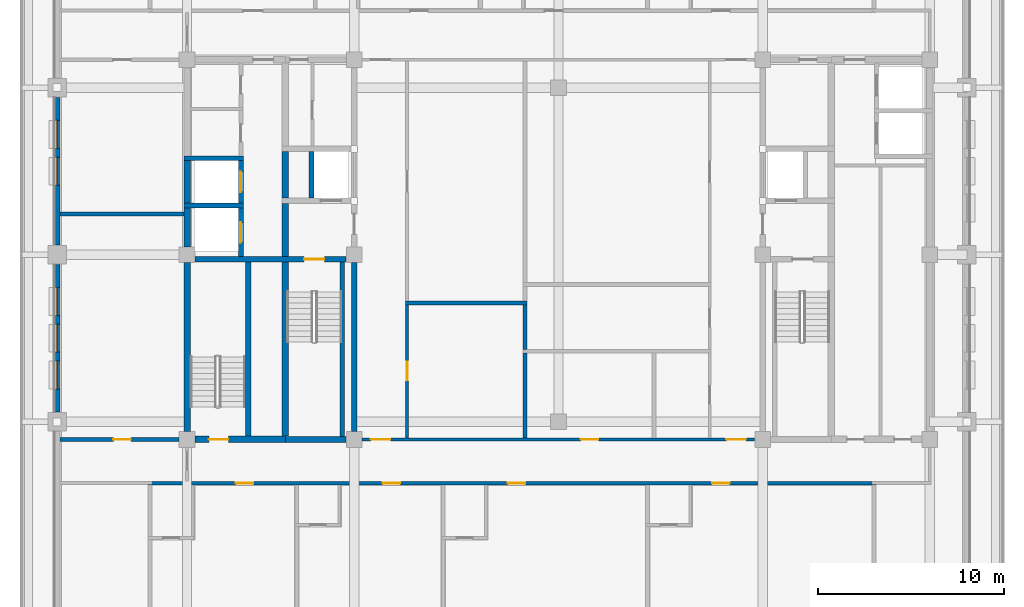
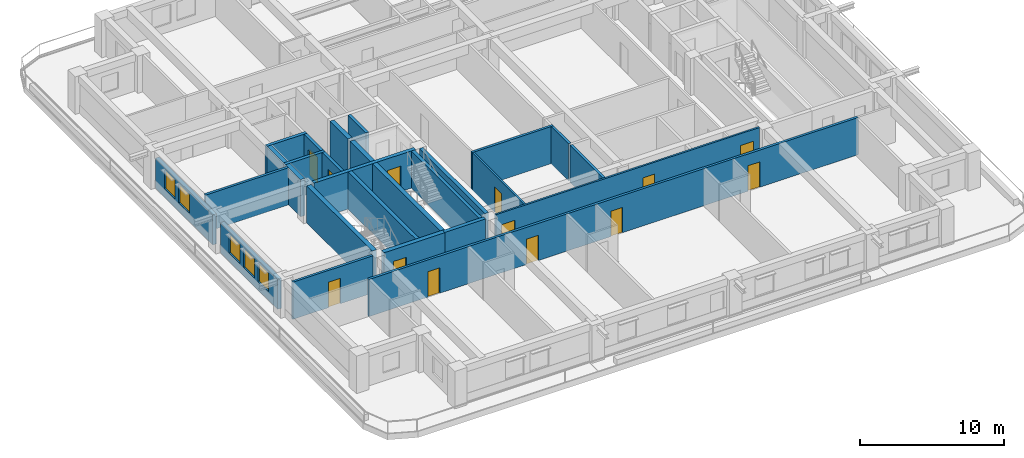
# One storey, part 3 of 14: 27 walls, 13 doors, 5 windows, 18 openings.
"""IFC4 building model written with IfcOpenShell, lengths in metres."""

from ifc_helpers import new_model, si_unit, direction, frame, frame_2d, origin, place, context, subcontext, project, spatial, rectangle, extrude, material, layer, layer_set, type_object, element, fill, save


model = new_model("IFC4")

# Units and contexts
model_context = context("Model", 3, precision=1e-05, world=origin(), true_north=direction((0.0, 1.0)))
body_context = subcontext(model_context, "Body", "Model", "MODEL_VIEW")
ifc_project = project(units=[si_unit("LENGTHUNIT", "METRE"), si_unit("AREAUNIT", "SQUARE_METRE"), si_unit("VOLUMEUNIT", "CUBIC_METRE"), si_unit("PLANEANGLEUNIT", "RADIAN"), si_unit("MASSUNIT", "GRAM", prefix="KILO")], contexts=[model_context])

# Site, building, storey
site_placement = place(None, origin())
site = spatial("IfcSite", under=ifc_project, at=site_placement, CompositionType="ELEMENT")
building_placement = place(site_placement, origin())
building = spatial("IfcBuilding", under=site, at=building_placement, Name="Zulmaris Gate Convention Tower", CompositionType="ELEMENT")
storey_placement = place(building_placement, frame((0.0, 0.0, 211.85986328125)))
storey = spatial("IfcBuildingStorey", under=building, at=storey_placement, Name="L55", CompositionType="ELEMENT", Elevation=211.85986328125)

# Walls
ifc_material_1 = material(Name="Concrete C50/60", Category="concrete")
ifc_layer_1 = layer(ifc_material_1, 0.25, Name="Concrete C50/60")
ifc_layer_set_1 = layer_set([ifc_layer_1], Name="Concrete C50/60")
wall_type_1 = type_object("IfcWallType", Name="CORE-250", PredefinedType="SOLIDWALL", material=ifc_layer_set_1)
for number, where, z_axis, x_axis, name in (
    (1, (-20.175048828125, 2.64990234375, 0.0), (0.0, 0.0, 1.0), (1.0, 0.0, 0.0), "WL-L55-007"),
    (2, (-20.175048828125, 5.199951171875, 0.0), (0.0, 0.0, 1.0), (1.0, 0.0, 0.0), "WL-L55-010"),
):
    element("IfcWall", number, at=place(storey_placement, frame(where, z_axis=z_axis, x_axis=x_axis)), inside=storey, type_object=wall_type_1, Name=name, PredefinedType="SOLIDWALL", context=body_context, shape_type="SweptSolid", body=[
        extrude(rectangle(XDim=3.199951171875, YDim=0.25, at=frame_2d((1.60009765625, 0.0))), origin(), (0.0, 0.0, 1.0), 3.150146484375),
    ])

# Wall, opening, door
wall_1_placement = place(storey_placement, frame((-17.10009765625, -0.097900390625, 0.0), z_axis=(0.0, 0.0, 1.0), x_axis=(0.0, 1.0, 0.0)))
wall_1 = element("IfcWall", 3, at=wall_1_placement, inside=storey, type_object=wall_type_1, Name="WL-L55-046", PredefinedType="SOLIDWALL", context=body_context, shape_type="SweptSolid", body=[
    extrude(rectangle(XDim=2.620849609375, YDim=0.25, at=frame_2d((1.310546875, 0.0))), origin(), (0.0, 0.0, 1.0), 3.150146484375),
])
opening_1_placement = place(wall_1_placement, frame((0.748046875, 0.0, 0.0)))
opening_1 = element("IfcOpeningElement", 4, at=opening_1_placement, cuts=wall_1, Name="Opening D-06", PredefinedType="OPENING", context=body_context, shape_type="SweptSolid", body=[
    extrude(rectangle(XDim=1.10009765625, YDim=2.199951171875, at=frame_2d((0.550048828125, 1.10009765625))), frame((0.0, 0.135009765625, 0.0), z_axis=(0.0, -1.0, 0.0), x_axis=(1.0, 0.0, 0.0)), (0.0, 0.0, 1.0), 0.27001953125),
])
ifc_material_2 = material(Name="Brushed Stainless Steel", Category="steel")
door_type_1 = type_object("IfcDoorType", Name="LD-1100", OperationType="NOTDEFINED", PredefinedType="DOOR", material=ifc_material_2)
door_1_placement = place(opening_1_placement, origin())
door_1 = element("IfcDoor", 5, at=door_1_placement, inside=storey, type_object=door_type_1, Name="L55 Lift Landing Door HP-03 11", OperationType="SLIDING_TO_LEFT", OverallHeight=2.199951171875, OverallWidth=1.10009765625, PredefinedType="DOOR", context=body_context, shape_type="SweptSolid", body=[
    extrude(rectangle(XDim=1.10009765625, YDim=2.199951171875, at=frame_2d((0.550048828125, 1.10009765625))), frame((0.0, 0.02490234375, 0.0), z_axis=(0.0, -1.0, 0.0), x_axis=(1.0, 0.0, 0.0)), (0.0, 0.0, 1.0), 0.050048828125),
])
fill(opening_1, door_1)

wall_2_placement = place(storey_placement, frame((-17.10009765625, 2.777099609375, 0.0), z_axis=(0.0, 0.0, 1.0), x_axis=(0.0, 1.0, 0.0)))
wall_2 = element("IfcWall", 6, at=wall_2_placement, inside=storey, type_object=wall_type_1, Name="WL-L55-047", PredefinedType="SOLIDWALL", context=body_context, shape_type="SweptSolid", body=[
    extrude(rectangle(XDim=2.2958984375, YDim=0.25, at=frame_2d((1.14794921875, 0.0))), origin(), (0.0, 0.0, 1.0), 3.150146484375),
])
opening_2_placement = place(wall_2_placement, frame((0.597900390625, 0.0, 0.0)))
opening_2 = element("IfcOpeningElement", 7, at=opening_2_placement, cuts=wall_2, Name="Opening D-06", PredefinedType="OPENING", context=body_context, shape_type="SweptSolid", body=[
    extrude(rectangle(XDim=1.10009765625, YDim=2.199951171875, at=frame_2d((0.550048828125, 1.10009765625))), frame((0.0, 0.135009765625, 0.0), z_axis=(0.0, -1.0, 0.0), x_axis=(1.0, 0.0, 0.0)), (0.0, 0.0, 1.0), 0.27001953125),
])
door_2_placement = place(opening_2_placement, origin())
door_2 = element("IfcDoor", 8, at=door_2_placement, inside=storey, type_object=door_type_1, Name="L55 Lift Landing Door HP-04 12", OperationType="SLIDING_TO_LEFT", OverallHeight=2.199951171875, OverallWidth=1.10009765625, PredefinedType="DOOR", context=body_context, shape_type="SweptSolid", body=[
    extrude(rectangle(XDim=1.10009765625, YDim=2.199951171875, at=frame_2d((0.550048828125, 1.10009765625))), frame((0.0, 0.02490234375, 0.0), z_axis=(0.0, -1.0, 0.0), x_axis=(1.0, 0.0, 0.0)), (0.0, 0.0, 1.0), 0.050048828125),
])
fill(opening_2, door_2)

# Walls
wall_3_placement = place(storey_placement, frame((-13.300048828125, 3.052001953125, 0.0), z_axis=(0.0, 0.0, 1.0), x_axis=(0.0, 1.0, 0.0)))
element("IfcWall", 9, at=wall_3_placement, inside=storey, type_object=wall_type_1, Name="WL-L55-053", PredefinedType="SOLIDWALL", context=body_context, shape_type="SweptSolid", body=[
    extrude(rectangle(XDim=2.49609375, YDim=0.25, at=frame_2d((1.248046875, 0.0))), origin(), (0.0, 0.0, 1.0), 3.150146484375),
])
wall_4_placement = place(storey_placement, frame((-11.64990234375, -9.798095703125, 0.0), z_axis=(0.0, 0.0, 1.0), x_axis=(0.0, 1.0, 0.0)))
element("IfcWall", 10, at=wall_4_placement, inside=storey, type_object=wall_type_1, Name="WL-L55-054", PredefinedType="SOLIDWALL", context=body_context, shape_type="SweptSolid", body=[
    extrude(rectangle(XDim=9.39599609375, YDim=0.25, at=frame_2d((4.697998046875, 0.0))), origin(), (0.0, 0.0, 1.0), 3.150146484375),
])
ifc_layer_2 = layer(ifc_material_1, 0.300048828125, Name="Concrete C50/60")
ifc_layer_set_2 = layer_set([ifc_layer_2], Name="Concrete C50/60")
wall_type_2 = type_object("IfcWallType", Name="CORE-300", PredefinedType="SHEAR", material=ifc_layer_set_2)
wall_5_placement = place(storey_placement, frame((-14.699951171875, -9.949951171875, 0.0), z_axis=(0.0, 0.0, 1.0), x_axis=(1.0, 0.0, 0.0)))
element("IfcWall", 11, at=wall_5_placement, inside=storey, type_object=wall_type_2, Name="WL-L55-002", PredefinedType="SHEAR", context=body_context, shape_type="SweptSolid", body=[
    extrude(rectangle(XDim=3.27099609375, YDim=0.300048828125, at=frame_2d((1.635498046875, 0.0))), origin(), (0.0, 0.0, 1.0), 3.150146484375),
])

# Wall, opening, door
wall_6_placement = place(storey_placement, frame((-19.571044921875, -0.25, 0.0), z_axis=(0.0, 0.0, 1.0), x_axis=(1.0, 0.0, 0.0)))
wall_6 = element("IfcWall", 12, at=wall_6_placement, inside=storey, type_object=wall_type_2, Name="WL-L55-005", PredefinedType="SHEAR", context=body_context, shape_type="SweptSolid", body=[
    extrude(rectangle(XDim=8.14208984375, YDim=0.300048828125, at=frame_2d((4.071044921875, 0.0))), origin(), (0.0, 0.0, 1.0), 3.150146484375),
])
opening_3_placement = place(wall_6_placement, frame((5.87109375, 0.0, 0.0)))
opening_3 = element("IfcOpeningElement", 13, at=opening_3_placement, cuts=wall_6, Name="Opening D-08", PredefinedType="OPENING", context=body_context, shape_type="SweptSolid", body=[
    extrude(rectangle(XDim=1.10009765625, YDim=2.14990234375, at=frame_2d((0.550048828125, 1.074951171875))), frame((0.0, 0.16015625, 0.0), z_axis=(0.0, -1.0, 0.0), x_axis=(1.0, 0.0, 0.0)), (0.0, 0.0, 1.0), 0.320068359375),
])
ifc_material_3 = material(Name="Fire-Rated Steel", Category="steel")
door_type_2 = type_object("IfcDoorType", Name="DR-1100-FD", OperationType="NOTDEFINED", PredefinedType="DOOR", material=ifc_material_3)
door_3_placement = place(opening_3_placement, origin())
door_3 = element("IfcDoor", 14, at=door_3_placement, inside=storey, type_object=door_type_2, Name="L55 Exit Stair ST-1 Door 01", OperationType="SINGLE_SWING_LEFT", OverallHeight=2.14990234375, OverallWidth=1.10009765625, PredefinedType="DOOR", context=body_context, shape_type="SweptSolid", body=[
    extrude(rectangle(XDim=1.10009765625, YDim=2.14990234375, at=frame_2d((0.550048828125, 1.074951171875))), frame((0.0, 0.02490234375, 0.0), z_axis=(0.0, -1.0, 0.0), x_axis=(1.0, 0.0, 0.0)), (0.0, 0.0, 1.0), 0.050048828125),
])
fill(opening_3, door_3)

# Walls
wall_7_placement = place(storey_placement, frame((-16.699951171875, -9.77294921875, 0.0), z_axis=(0.0, 0.0, 1.0), x_axis=(0.0, 1.0, 0.0)))
element("IfcWall", 15, at=wall_7_placement, inside=storey, type_object=wall_type_2, Name="WL-L55-048", PredefinedType="SHEAR", context=body_context, shape_type="SweptSolid", body=[
    extrude(rectangle(XDim=9.370849609375, YDim=0.300048828125, at=frame_2d((4.685546875, 0.0))), origin(), (0.0, 0.0, 1.0), 3.150146484375),
])
wall_8_placement = place(storey_placement, frame((-11.0, -9.52099609375, 0.0), z_axis=(0.0, 0.0, 1.0), x_axis=(0.0, 1.0, 0.0)))
element("IfcWall", 16, at=wall_8_placement, inside=storey, type_object=wall_type_2, Name="WL-L55-055", PredefinedType="SHEAR", context=body_context, shape_type="SweptSolid", body=[
    extrude(rectangle(XDim=9.092041015625, YDim=0.300048828125, at=frame_2d((4.5458984375, 0.0))), origin(), (0.0, 0.0, 1.0), 3.150146484375),
])

# Wall, opening, door
ifc_material_4 = material(Name="Concrete C55/67", Category="concrete")
ifc_layer_3 = layer(ifc_material_4, 0.35009765625, Name="Concrete C55/67")
ifc_layer_set_3 = layer_set([ifc_layer_3], Name="Concrete C55/67")
wall_type_3 = type_object("IfcWallType", Name="CORE-350", PredefinedType="SHEAR", material=ifc_layer_set_3)
wall_9_placement = place(storey_placement, frame((-19.571044921875, -9.949951171875, 0.0), z_axis=(0.0, 0.0, 1.0), x_axis=(1.0, 0.0, 0.0)))
wall_9 = element("IfcWall", 17, at=wall_9_placement, inside=storey, type_object=wall_type_3, Name="WL-L55-001", PredefinedType="SHEAR", context=body_context, shape_type="SweptSolid", body=[
    extrude(rectangle(XDim=4.87109375, YDim=0.35009765625, at=frame_2d((2.435546875, 0.0))), origin(), (0.0, 0.0, 1.0), 3.150146484375),
])
opening_4_placement = place(wall_9_placement, frame((0.74609375, 0.0, 0.0)))
opening_4 = element("IfcOpeningElement", 18, at=opening_4_placement, cuts=wall_9, Name="Opening D-09", PredefinedType="OPENING", context=body_context, shape_type="SweptSolid", body=[
    extrude(rectangle(XDim=1.050048828125, YDim=2.14990234375, at=frame_2d((0.52490234375, 1.074951171875))), frame((0.0, 0.18505859375, 0.0), z_axis=(0.0, -1.0, 0.0), x_axis=(1.0, 0.0, 0.0)), (0.0, 0.0, 1.0), 0.3701171875),
])
door_type_3 = type_object("IfcDoorType", Name="DR-1050-FD", OperationType="NOTDEFINED", PredefinedType="DOOR", material=ifc_material_3)
door_4_placement = place(opening_4_placement, origin())
door_4 = element("IfcDoor", 19, at=door_4_placement, inside=storey, type_object=door_type_3, Name="L55 Exit Stair ST-3 Door 10", OperationType="SINGLE_SWING_RIGHT", OverallHeight=2.14990234375, OverallWidth=1.050048828125, PredefinedType="DOOR", context=body_context, shape_type="SweptSolid", body=[
    extrude(rectangle(XDim=1.050048828125, YDim=2.14990234375, at=frame_2d((0.52490234375, 1.074951171875))), frame((0.0, 0.02490234375, 0.0), z_axis=(0.0, -1.0, 0.0), x_axis=(1.0, 0.0, 0.0)), (0.0, 0.0, 1.0), 0.050048828125),
])
fill(opening_4, door_4)

# Walls
wall_10_placement = place(storey_placement, frame((-20.0, -9.52099609375, 0.0), z_axis=(0.0, 0.0, 1.0), x_axis=(0.0, 1.0, 0.0)))
element("IfcWall", 20, at=wall_10_placement, inside=storey, type_object=wall_type_3, Name="WL-L55-042", PredefinedType="SHEAR", context=body_context, shape_type="SweptSolid", body=[
    extrude(rectangle(XDim=9.092041015625, YDim=0.35009765625, at=frame_2d((4.5458984375, 0.0))), origin(), (0.0, 0.0, 1.0), 3.150146484375),
])
wall_11_placement = place(storey_placement, frame((-20.0, 0.428955078125, 0.0), z_axis=(0.0, 0.0, 1.0), x_axis=(0.0, 1.0, 0.0)))
element("IfcWall", 21, at=wall_11_placement, inside=storey, type_object=wall_type_3, Name="WL-L55-043", PredefinedType="SHEAR", context=body_context, shape_type="SweptSolid", body=[
    extrude(rectangle(XDim=2.093994140625, YDim=0.35009765625, at=frame_2d((1.046875, 0.0))), origin(), (0.0, 0.0, 1.0), 3.150146484375),
])
wall_12_placement = place(storey_placement, frame((-20.0, 2.777099609375, 0.0), z_axis=(0.0, 0.0, 1.0), x_axis=(0.0, 1.0, 0.0)))
element("IfcWall", 22, at=wall_12_placement, inside=storey, type_object=wall_type_3, Name="WL-L55-044", PredefinedType="SHEAR", context=body_context, shape_type="SweptSolid", body=[
    extrude(rectangle(XDim=2.2958984375, YDim=0.35009765625, at=frame_2d((1.14794921875, 0.0))), origin(), (0.0, 0.0, 1.0), 3.150146484375),
])
wall_13_placement = place(storey_placement, frame((-14.699951171875, -9.77294921875, 0.0), z_axis=(0.0, 0.0, 1.0), x_axis=(0.0, 1.0, 0.0)))
element("IfcWall", 23, at=wall_13_placement, inside=storey, type_object=wall_type_3, Name="WL-L55-049", PredefinedType="SHEAR", context=body_context, shape_type="SweptSolid", body=[
    extrude(rectangle(XDim=9.370849609375, YDim=0.35009765625, at=frame_2d((4.685546875, 0.0))), origin(), (0.0, 0.0, 1.0), 3.150146484375),
])
wall_14_placement = place(storey_placement, frame((-14.699951171875, -0.097900390625, 0.0), z_axis=(0.0, 0.0, 1.0), x_axis=(0.0, 1.0, 0.0)))
element("IfcWall", 24, at=wall_14_placement, inside=storey, type_object=wall_type_3, Name="WL-L55-050", PredefinedType="SHEAR", context=body_context, shape_type="SweptSolid", body=[
    extrude(rectangle(XDim=2.845947265625, YDim=0.35009765625, at=frame_2d((1.4228515625, 0.0))), origin(), (0.0, 0.0, 1.0), 3.150146484375),
])
wall_15_placement = place(storey_placement, frame((-14.699951171875, 3.052001953125, 0.0), z_axis=(0.0, 0.0, 1.0), x_axis=(0.0, 1.0, 0.0)))
element("IfcWall", 25, at=wall_15_placement, inside=storey, type_object=wall_type_3, Name="WL-L55-051", PredefinedType="SHEAR", context=body_context, shape_type="SweptSolid", body=[
    extrude(rectangle(XDim=2.49609375, YDim=0.35009765625, at=frame_2d((1.248046875, 0.0))), origin(), (0.0, 0.0, 1.0), 3.150146484375),
])

# Wall, openings, doors
ifc_material_5 = material(Name="Gypsum Metal Stud Partition")
ifc_layer_4 = layer(ifc_material_5, 0.14990234375, Name="Gypsum Metal Stud Partition")
ifc_layer_set_4 = layer_set([ifc_layer_4], Name="Gypsum Metal Stud Partition")
wall_type_4 = type_object("IfcWallType", Name="PART-150", PredefinedType="PARTITIONING", material=ifc_layer_set_4)
wall_16_placement = place(storey_placement, frame((-10.569091796875, -9.949951171875, 0.0), z_axis=(0.0, 0.0, 1.0), x_axis=(1.0, 0.0, 0.0)))
wall_16 = element("IfcWall", 26, at=wall_16_placement, inside=storey, type_object=wall_type_4, Name="WL-L55-027", PredefinedType="PARTITIONING", context=body_context, shape_type="SweptSolid", body=[
    extrude(rectangle(XDim=21.13818359375, YDim=0.14990234375, at=frame_2d((10.569091796875, 0.0))), origin(), (0.0, 0.0, 1.0), 3.150146484375),
])
opening_5_placement = place(wall_16_placement, frame((0.47412109375, 0.0, 0.0)))
opening_5 = element("IfcOpeningElement", 27, at=opening_5_placement, cuts=wall_16, Name="Opening D-09", PredefinedType="OPENING", context=body_context, shape_type="SweptSolid", body=[
    extrude(rectangle(XDim=1.050048828125, YDim=2.14990234375, at=frame_2d((0.52490234375, 1.074951171875))), frame((0.0, 0.0849609375, 0.0), z_axis=(0.0, -1.0, 0.0), x_axis=(1.0, 0.0, 0.0)), (0.0, 0.0, 1.0), 0.169921875),
])
opening_6_placement = place(wall_16_placement, frame((19.614013671875, 0.0, 0.0)))
opening_6 = element("IfcOpeningElement", 28, at=opening_6_placement, cuts=wall_16, Name="Opening D-09", PredefinedType="OPENING", context=body_context, shape_type="SweptSolid", body=[
    extrude(rectangle(XDim=1.050048828125, YDim=2.14990234375, at=frame_2d((0.52490234375, 1.074951171875))), frame((0.0, 0.0849609375, 0.0), z_axis=(0.0, -1.0, 0.0), x_axis=(1.0, 0.0, 0.0)), (0.0, 0.0, 1.0), 0.169921875),
])
opening_7_placement = place(wall_16_placement, frame((11.77392578125, 0.0, 0.0)))
opening_7 = element("IfcOpeningElement", 29, at=opening_7_placement, cuts=wall_16, Name="Opening D-11", PredefinedType="OPENING", context=body_context, shape_type="SweptSolid", body=[
    extrude(rectangle(XDim=0.949951171875, YDim=2.14990234375, at=frame_2d((0.47509765625, 1.074951171875))), frame((0.0, 0.0849609375, 0.0), z_axis=(0.0, -1.0, 0.0), x_axis=(1.0, 0.0, 0.0)), (0.0, 0.0, 1.0), 0.169921875),
])
door_5_placement = place(opening_5_placement, origin())
door_5 = element("IfcDoor", 30, at=door_5_placement, inside=storey, type_object=door_type_3, Name="L55 SW Hotel Loop Door 22", OperationType="SINGLE_SWING_RIGHT", OverallHeight=2.14990234375, OverallWidth=1.050048828125, PredefinedType="DOOR", context=body_context, shape_type="SweptSolid", body=[
    extrude(rectangle(XDim=1.050048828125, YDim=2.14990234375, at=frame_2d((0.52490234375, 1.074951171875))), frame((0.0, 0.02490234375, 0.0), z_axis=(0.0, -1.0, 0.0), x_axis=(1.0, 0.0, 0.0)), (0.0, 0.0, 1.0), 0.050048828125),
])
fill(opening_5, door_5)
door_6_placement = place(opening_6_placement, origin())
door_6 = element("IfcDoor", 31, at=door_6_placement, inside=storey, type_object=door_type_3, Name="L55 SE Hotel Loop Door 24", OperationType="SINGLE_SWING_RIGHT", OverallHeight=2.14990234375, OverallWidth=1.050048828125, PredefinedType="DOOR", context=body_context, shape_type="SweptSolid", body=[
    extrude(rectangle(XDim=1.050048828125, YDim=2.14990234375, at=frame_2d((0.52490234375, 1.074951171875))), frame((0.0, 0.02490234375, 0.0), z_axis=(0.0, -1.0, 0.0), x_axis=(1.0, 0.0, 0.0)), (0.0, 0.0, 1.0), 0.050048828125),
])
fill(opening_6, door_6)
ifc_material_6 = material(Name="Fire-Rated Timber", Category="wood")
door_type_4 = type_object("IfcDoorType", Name="DR-950-FD", OperationType="NOTDEFINED", PredefinedType="DOOR", material=ifc_material_6)
door_7_placement = place(opening_7_placement, origin())
door_7 = element("IfcDoor", 32, at=door_7_placement, inside=storey, type_object=door_type_4, Name="L55 Staging Store Door 45", OperationType="SINGLE_SWING_LEFT", OverallHeight=2.14990234375, OverallWidth=0.949951171875, PredefinedType="DOOR", context=body_context, shape_type="SweptSolid", body=[
    extrude(rectangle(XDim=0.949951171875, YDim=2.14990234375, at=frame_2d((0.47509765625, 1.074951171875))), frame((0.0, 0.02490234375, 0.0), z_axis=(0.0, -1.0, 0.0), x_axis=(1.0, 0.0, 0.0)), (0.0, 0.0, 1.0), 0.050048828125),
])
fill(opening_7, door_7)

# Wall, opening, door
wall_17_placement = place(storey_placement, frame((-8.14990234375, -9.8720703125, 0.0), z_axis=(0.0, 0.0, 1.0), x_axis=(0.0, 1.0, 0.0)))
wall_17 = element("IfcWall", 33, at=wall_17_placement, inside=storey, type_object=wall_type_4, Name="WL-L55-089", PredefinedType="PARTITIONING", context=body_context, shape_type="SweptSolid", body=[
    extrude(rectangle(XDim=7.169189453125, YDim=0.14990234375, at=frame_2d((3.58447265625, 0.0))), origin(), (0.0, 0.0, 1.0), 3.150146484375),
])
opening_8_placement = place(wall_17_placement, frame((3.10205078125, 0.0, 0.0)))
opening_8 = element("IfcOpeningElement", 34, at=opening_8_placement, cuts=wall_17, Name="Opening D-10", PredefinedType="OPENING", context=body_context, shape_type="SweptSolid", body=[
    extrude(rectangle(XDim=1.0, YDim=2.14990234375, at=frame_2d((0.5, 1.074951171875))), frame((0.0, 0.0849609375, 0.0), z_axis=(0.0, -1.0, 0.0), x_axis=(1.0, 0.0, 0.0)), (0.0, 0.0, 1.0), 0.169921875),
])
door_type_5 = type_object("IfcDoorType", Name="DR-1000-FD", OperationType="NOTDEFINED", PredefinedType="DOOR", material=ifc_material_6)
door_8_placement = place(opening_8_placement, origin())
door_8 = element("IfcDoor", 35, at=door_8_placement, inside=storey, type_object=door_type_5, Name="L55 Guest Study Door 41", OperationType="SINGLE_SWING_LEFT", OverallHeight=2.14990234375, OverallWidth=1.0, PredefinedType="DOOR", context=body_context, shape_type="SweptSolid", body=[
    extrude(rectangle(XDim=1.0, YDim=2.14990234375, at=frame_2d((0.5, 1.074951171875))), frame((0.0, 0.02490234375, 0.0), z_axis=(0.0, -1.0, 0.0), x_axis=(1.0, 0.0, 0.0)), (0.0, 0.0, 1.0), 0.050048828125),
])
fill(opening_8, door_8)

# Wall, openings, doors
ifc_material_7 = material(Name="Autoclaved Aerated Concrete Block and Plasterboard", Category="concrete")
ifc_layer_5 = layer(ifc_material_7, 0.199951171875, Name="Autoclaved Aerated Concrete Block and Plasterboard")
ifc_layer_set_5 = layer_set([ifc_layer_5], Name="Autoclaved Aerated Concrete Block and Plasterboard")
wall_type_5 = type_object("IfcWallType", Name="PART-200", PredefinedType="PARTITIONING", material=ifc_layer_set_5)
wall_18_placement = place(storey_placement, frame((-22.10009765625, -12.300048828125, 0.0), z_axis=(0.0, 0.0, 1.0), x_axis=(1.0, 0.0, 0.0)))
wall_18 = element("IfcWall", 36, at=wall_18_placement, inside=storey, type_object=wall_type_5, Name="WL-L55-024", PredefinedType="PARTITIONING", context=body_context, shape_type="SweptSolid", body=[
    extrude(rectangle(XDim=39.2001953125, YDim=0.199951171875, at=frame_2d((19.60009765625, 0.0))), origin(), (0.0, 0.0, 1.0), 3.150146484375),
])
opening_9_placement = place(wall_18_placement, frame((4.72509765625, 0.0, 0.0)))
opening_9 = element("IfcOpeningElement", 37, at=opening_9_placement, cuts=wall_18, Name="Opening D-11", PredefinedType="OPENING", context=body_context, shape_type="SweptSolid", body=[
    extrude(rectangle(XDim=0.949951171875, YDim=2.14990234375, at=frame_2d((0.47509765625, 1.074951171875))), frame((0.0, 0.10986328125, 0.0), z_axis=(0.0, -1.0, 0.0), x_axis=(1.0, 0.0, 0.0)), (0.0, 0.0, 1.0), 0.219970703125),
])
opening_10_placement = place(wall_18_placement, frame((12.625, 0.0, 0.0)))
opening_10 = element("IfcOpeningElement", 38, at=opening_10_placement, cuts=wall_18, Name="Opening D-11", PredefinedType="OPENING", context=body_context, shape_type="SweptSolid", body=[
    extrude(rectangle(XDim=0.949951171875, YDim=2.14990234375, at=frame_2d((0.47509765625, 1.074951171875))), frame((0.0, 0.10986328125, 0.0), z_axis=(0.0, -1.0, 0.0), x_axis=(1.0, 0.0, 0.0)), (0.0, 0.0, 1.0), 0.219970703125),
])
opening_11_placement = place(wall_18_placement, frame((19.375, 0.0, 0.0)))
opening_11 = element("IfcOpeningElement", 39, at=opening_11_placement, cuts=wall_18, Name="Opening D-11", PredefinedType="OPENING", context=body_context, shape_type="SweptSolid", body=[
    extrude(rectangle(XDim=0.949951171875, YDim=2.14990234375, at=frame_2d((0.47509765625, 1.074951171875))), frame((0.0, 0.10986328125, 0.0), z_axis=(0.0, -1.0, 0.0), x_axis=(1.0, 0.0, 0.0)), (0.0, 0.0, 1.0), 0.219970703125),
])
opening_12_placement = place(wall_18_placement, frame((30.375, 0.0, 0.0)))
opening_12 = element("IfcOpeningElement", 40, at=opening_12_placement, cuts=wall_18, Name="Opening D-11", PredefinedType="OPENING", context=body_context, shape_type="SweptSolid", body=[
    extrude(rectangle(XDim=0.949951171875, YDim=2.14990234375, at=frame_2d((0.47509765625, 1.074951171875))), frame((0.0, 0.10986328125, 0.0), z_axis=(0.0, -1.0, 0.0), x_axis=(1.0, 0.0, 0.0)), (0.0, 0.0, 1.0), 0.219970703125),
])
door_9_placement = place(opening_9_placement, origin())
door_9 = element("IfcDoor", 41, at=door_9_placement, inside=storey, type_object=door_type_4, Name="L55 Hotel Ambassador Suite Door 32", OperationType="SINGLE_SWING_RIGHT", OverallHeight=2.14990234375, OverallWidth=0.949951171875, PredefinedType="DOOR", context=body_context, shape_type="SweptSolid", body=[
    extrude(rectangle(XDim=0.949951171875, YDim=2.14990234375, at=frame_2d((0.47509765625, 1.074951171875))), frame((0.0, 0.02490234375, 0.0), z_axis=(0.0, -1.0, 0.0), x_axis=(1.0, 0.0, 0.0)), (0.0, 0.0, 1.0), 0.050048828125),
])
fill(opening_9, door_9)
door_10_placement = place(opening_10_placement, origin())
door_10 = element("IfcDoor", 42, at=door_10_placement, inside=storey, type_object=door_type_4, Name="L55 Hotel Ambassador Suite Door 34", OperationType="SINGLE_SWING_RIGHT", OverallHeight=2.14990234375, OverallWidth=0.949951171875, PredefinedType="DOOR", context=body_context, shape_type="SweptSolid", body=[
    extrude(rectangle(XDim=0.949951171875, YDim=2.14990234375, at=frame_2d((0.47509765625, 1.074951171875))), frame((0.0, 0.02490234375, 0.0), z_axis=(0.0, -1.0, 0.0), x_axis=(1.0, 0.0, 0.0)), (0.0, 0.0, 1.0), 0.050048828125),
])
fill(opening_10, door_10)
door_11_placement = place(opening_11_placement, origin())
door_11 = element("IfcDoor", 43, at=door_11_placement, inside=storey, type_object=door_type_4, Name="L55 Hotel Ambassador Suite Door 36", OperationType="SINGLE_SWING_RIGHT", OverallHeight=2.14990234375, OverallWidth=0.949951171875, PredefinedType="DOOR", context=body_context, shape_type="SweptSolid", body=[
    extrude(rectangle(XDim=0.949951171875, YDim=2.14990234375, at=frame_2d((0.47509765625, 1.074951171875))), frame((0.0, 0.02490234375, 0.0), z_axis=(0.0, -1.0, 0.0), x_axis=(1.0, 0.0, 0.0)), (0.0, 0.0, 1.0), 0.050048828125),
])
fill(opening_11, door_11)
door_12_placement = place(opening_12_placement, origin())
door_12 = element("IfcDoor", 44, at=door_12_placement, inside=storey, type_object=door_type_4, Name="L55 Hotel Ambassador Suite Door 38", OperationType="SINGLE_SWING_RIGHT", OverallHeight=2.14990234375, OverallWidth=0.949951171875, PredefinedType="DOOR", context=body_context, shape_type="SweptSolid", body=[
    extrude(rectangle(XDim=0.949951171875, YDim=2.14990234375, at=frame_2d((0.47509765625, 1.074951171875))), frame((0.0, 0.02490234375, 0.0), z_axis=(0.0, -1.0, 0.0), x_axis=(1.0, 0.0, 0.0)), (0.0, 0.0, 1.0), 0.050048828125),
])
fill(opening_12, door_12)

# Wall, opening, door
wall_19_placement = place(storey_placement, frame((-26.8349609375, -9.949951171875, 0.0), z_axis=(0.0, 0.0, 1.0), x_axis=(1.0, 0.0, 0.0)))
wall_19 = element("IfcWall", 45, at=wall_19_placement, inside=storey, type_object=wall_type_5, Name="WL-L55-026", PredefinedType="PARTITIONING", context=body_context, shape_type="SweptSolid", body=[
    extrude(rectangle(XDim=6.404052734375, YDim=0.199951171875, at=frame_2d((3.2021484375, 0.0))), origin(), (0.0, 0.0, 1.0), 3.150146484375),
])
opening_13_placement = place(wall_19_placement, frame((2.860107421875, 0.0, 0.0)))
opening_13 = element("IfcOpeningElement", 46, at=opening_13_placement, cuts=wall_19, Name="Opening D-11", PredefinedType="OPENING", context=body_context, shape_type="SweptSolid", body=[
    extrude(rectangle(XDim=0.949951171875, YDim=2.14990234375, at=frame_2d((0.47509765625, 1.074951171875))), frame((0.0, 0.10986328125, 0.0), z_axis=(0.0, -1.0, 0.0), x_axis=(1.0, 0.0, 0.0)), (0.0, 0.0, 1.0), 0.219970703125),
])
door_13_placement = place(opening_13_placement, origin())
door_13 = element("IfcDoor", 47, at=door_13_placement, inside=storey, type_object=door_type_4, Name="L55 West Study Door 49", OperationType="SINGLE_SWING_LEFT", OverallHeight=2.14990234375, OverallWidth=0.949951171875, PredefinedType="DOOR", context=body_context, shape_type="SweptSolid", body=[
    extrude(rectangle(XDim=0.949951171875, YDim=2.14990234375, at=frame_2d((0.47509765625, 1.074951171875))), frame((0.0, 0.02490234375, 0.0), z_axis=(0.0, -1.0, 0.0), x_axis=(1.0, 0.0, 0.0)), (0.0, 0.0, 1.0), 0.050048828125),
])
fill(opening_13, door_13)

# Walls
wall_20_placement = place(storey_placement, frame((-8.22509765625, -2.60009765625, 0.0), z_axis=(0.0, 0.0, 1.0), x_axis=(1.0, 0.0, 0.0)))
element("IfcWall", 48, at=wall_20_placement, inside=storey, type_object=wall_type_5, Name="WL-L55-029", PredefinedType="PARTITIONING", context=body_context, shape_type="SweptSolid", body=[
    extrude(rectangle(XDim=6.525146484375, YDim=0.199951171875, at=frame_2d((3.2626953125, 0.0))), origin(), (0.0, 0.0, 1.0), 3.150146484375),
])
wall_21_placement = place(storey_placement, frame((-26.8349609375, 2.199951171875, 0.0), z_axis=(0.0, 0.0, 1.0), x_axis=(1.0, 0.0, 0.0)))
element("IfcWall", 49, at=wall_21_placement, inside=storey, type_object=wall_type_5, Name="WL-L55-031", PredefinedType="PARTITIONING", context=body_context, shape_type="SweptSolid", body=[
    extrude(rectangle(XDim=6.656982421875, YDim=0.199951171875, at=frame_2d((3.32861328125, 0.0))), origin(), (0.0, 0.0, 1.0), 3.150146484375),
])
wall_22_placement = place(storey_placement, frame((-1.800048828125, -9.8720703125, 0.0), z_axis=(0.0, 0.0, 1.0), x_axis=(0.0, 1.0, 0.0)))
element("IfcWall", 50, at=wall_22_placement, inside=storey, type_object=wall_type_5, Name="WL-L55-097", PredefinedType="PARTITIONING", context=body_context, shape_type="SweptSolid", body=[
    extrude(rectangle(XDim=4.569091796875, YDim=0.199951171875, at=frame_2d((2.28466796875, 0.0))), origin(), (0.0, 0.0, 1.0), 3.150146484375),
])
wall_23_placement = place(storey_placement, frame((-1.800048828125, -5.096923828125, 0.0), z_axis=(0.0, 0.0, 1.0), x_axis=(0.0, 1.0, 0.0)))
element("IfcWall", 51, at=wall_23_placement, inside=storey, type_object=wall_type_5, Name="WL-L55-098", PredefinedType="PARTITIONING", context=body_context, shape_type="SweptSolid", body=[
    extrude(rectangle(XDim=2.39404296875, YDim=0.199951171875, at=frame_2d((1.197021484375, 0.0))), origin(), (0.0, 0.0, 1.0), 3.150146484375),
])

# Wall, openings, windows
ifc_material_8 = material(Name="Precast concrete C40/50", Category="concrete")
ifc_layer_6 = layer(ifc_material_8, 0.300048828125, Name="Precast concrete C40/50")
ifc_layer_set_6 = layer_set([ifc_layer_6], Name="Precast concrete C40/50")
wall_type_6 = type_object("IfcWallType", Name="PRECAST-PIER-300", PredefinedType="STANDARD", material=ifc_layer_set_6)
wall_24_placement = place(storey_placement, frame((-27.0, -0.530029296875, 0.0), z_axis=(0.0, 0.0, 1.0), x_axis=(0.0, -1.0, 0.0)))
wall_24 = element("IfcWall", 52, at=wall_24_placement, inside=storey, type_object=wall_type_6, Name="EW-L55-W-1_0", PredefinedType="STANDARD", context=body_context, shape_type="SweptSolid", body=[
    extrude(rectangle(XDim=7.93994140625, YDim=0.300048828125, at=frame_2d((3.969970703125, 0.0))), origin(), (0.0, 0.0, 1.0), 2.542236328125),
])
opening_14_placement = place(wall_24_placement, frame((1.235107421875, 0.0, 0.719970703125)))
opening_14 = element("IfcOpeningElement", 53, at=opening_14_placement, cuts=wall_24, Name="Opening W-03", PredefinedType="OPENING", context=body_context, shape_type="SweptSolid", body=[
    extrude(rectangle(XDim=1.5, YDim=1.60009765625, at=frame_2d((0.75, 0.800048828125))), frame((0.0, 0.16015625, 0.0), z_axis=(0.0, -1.0, 0.0), x_axis=(1.0, 0.0, 0.0)), (0.0, 0.0, 1.0), 0.320068359375),
])
opening_15_placement = place(wall_24_placement, frame((3.219970703125, 0.0, 0.719970703125)))
opening_15 = element("IfcOpeningElement", 54, at=opening_15_placement, cuts=wall_24, Name="Opening W-03", PredefinedType="OPENING", context=body_context, shape_type="SweptSolid", body=[
    extrude(rectangle(XDim=1.5, YDim=1.60009765625, at=frame_2d((0.75, 0.800048828125))), frame((0.0, 0.16015625, 0.0), z_axis=(0.0, -1.0, 0.0), x_axis=(1.0, 0.0, 0.0)), (0.0, 0.0, 1.0), 0.320068359375),
])
opening_16_placement = place(wall_24_placement, frame((5.205078125, 0.0, 0.719970703125)))
opening_16 = element("IfcOpeningElement", 55, at=opening_16_placement, cuts=wall_24, Name="Opening W-03", PredefinedType="OPENING", context=body_context, shape_type="SweptSolid", body=[
    extrude(rectangle(XDim=1.5, YDim=1.60009765625, at=frame_2d((0.75, 0.800048828125))), frame((0.0, 0.16015625, 0.0), z_axis=(0.0, -1.0, 0.0), x_axis=(1.0, 0.0, 0.0)), (0.0, 0.0, 1.0), 0.320068359375),
])
ifc_material_9 = material(Name="Low-E Laminated Double Glazing in Aluminium Frame", Category="aluminium")
window_type = type_object("IfcWindowType", Name="WIN-1500x2100", PartitioningType="SINGLE_PANEL", PredefinedType="WINDOW", material=ifc_material_9)
window_1_placement = place(opening_14_placement, origin())
window_1 = element("IfcWindow", 56, at=window_1_placement, inside=storey, type_object=window_type, Name="WN-EW-L55-W-1_0-1", OverallHeight=1.60009765625, OverallWidth=1.5, PartitioningType="SINGLE_PANEL", PredefinedType="WINDOW", context=body_context, shape_type="SweptSolid", body=[
    extrude(rectangle(XDim=1.5, YDim=1.60009765625, at=frame_2d((0.75, 0.800048828125))), frame((0.0, 0.030029296875, 0.0), z_axis=(0.0, -1.0, 0.0), x_axis=(1.0, 0.0, 0.0)), (0.0, 0.0, 1.0), 0.06005859375),
])
fill(opening_14, window_1)
window_2_placement = place(opening_15_placement, origin())
window_2 = element("IfcWindow", 57, at=window_2_placement, inside=storey, type_object=window_type, Name="WN-EW-L55-W-1_0-2", OverallHeight=1.60009765625, OverallWidth=1.5, PartitioningType="SINGLE_PANEL", PredefinedType="WINDOW", context=body_context, shape_type="SweptSolid", body=[
    extrude(rectangle(XDim=1.5, YDim=1.60009765625, at=frame_2d((0.75, 0.800048828125))), frame((0.0, 0.030029296875, 0.0), z_axis=(0.0, -1.0, 0.0), x_axis=(1.0, 0.0, 0.0)), (0.0, 0.0, 1.0), 0.06005859375),
])
fill(opening_15, window_2)
window_3_placement = place(opening_16_placement, origin())
window_3 = element("IfcWindow", 58, at=window_3_placement, inside=storey, type_object=window_type, Name="WN-EW-L55-W-1_0-3", OverallHeight=1.60009765625, OverallWidth=1.5, PartitioningType="SINGLE_PANEL", PredefinedType="WINDOW", context=body_context, shape_type="SweptSolid", body=[
    extrude(rectangle(XDim=1.5, YDim=1.60009765625, at=frame_2d((0.75, 0.800048828125))), frame((0.0, 0.030029296875, 0.0), z_axis=(0.0, -1.0, 0.0), x_axis=(1.0, 0.0, 0.0)), (0.0, 0.0, 1.0), 0.06005859375),
])
fill(opening_16, window_3)

wall_25_placement = place(storey_placement, frame((-27.0, 8.469970703125, 0.0), z_axis=(0.0, 0.0, 1.0), x_axis=(0.0, -1.0, 0.0)))
wall_25 = element("IfcWall", 59, at=wall_25_placement, inside=storey, type_object=wall_type_6, Name="EW-L55-W-2_0", PredefinedType="STANDARD", context=body_context, shape_type="SweptSolid", body=[
    extrude(rectangle(XDim=7.93994140625, YDim=0.300048828125, at=frame_2d((3.969970703125, 0.0))), origin(), (0.0, 0.0, 1.0), 2.542236328125),
])
opening_17_placement = place(wall_25_placement, frame((1.235107421875, 0.0, 0.719970703125)))
opening_17 = element("IfcOpeningElement", 60, at=opening_17_placement, cuts=wall_25, Name="Opening W-03", PredefinedType="OPENING", context=body_context, shape_type="SweptSolid", body=[
    extrude(rectangle(XDim=1.5, YDim=1.60009765625, at=frame_2d((0.75, 0.800048828125))), frame((0.0, 0.16015625, 0.0), z_axis=(0.0, -1.0, 0.0), x_axis=(1.0, 0.0, 0.0)), (0.0, 0.0, 1.0), 0.320068359375),
])
opening_18_placement = place(wall_25_placement, frame((3.219970703125, 0.0, 0.719970703125)))
opening_18 = element("IfcOpeningElement", 61, at=opening_18_placement, cuts=wall_25, Name="Opening W-03", PredefinedType="OPENING", context=body_context, shape_type="SweptSolid", body=[
    extrude(rectangle(XDim=1.5, YDim=1.60009765625, at=frame_2d((0.75, 0.800048828125))), frame((0.0, 0.16015625, 0.0), z_axis=(0.0, -1.0, 0.0), x_axis=(1.0, 0.0, 0.0)), (0.0, 0.0, 1.0), 0.320068359375),
])
window_4_placement = place(opening_17_placement, origin())
window_4 = element("IfcWindow", 62, at=window_4_placement, inside=storey, type_object=window_type, Name="WN-EW-L55-W-2_0-1", OverallHeight=1.60009765625, OverallWidth=1.5, PartitioningType="SINGLE_PANEL", PredefinedType="WINDOW", context=body_context, shape_type="SweptSolid", body=[
    extrude(rectangle(XDim=1.5, YDim=1.60009765625, at=frame_2d((0.75, 0.800048828125))), frame((0.0, 0.030029296875, 0.0), z_axis=(0.0, -1.0, 0.0), x_axis=(1.0, 0.0, 0.0)), (0.0, 0.0, 1.0), 0.06005859375),
])
fill(opening_17, window_4)
window_5_placement = place(opening_18_placement, origin())
window_5 = element("IfcWindow", 63, at=window_5_placement, inside=storey, type_object=window_type, Name="WN-EW-L55-W-2_0-2", OverallHeight=1.60009765625, OverallWidth=1.5, PartitioningType="SINGLE_PANEL", PredefinedType="WINDOW", context=body_context, shape_type="SweptSolid", body=[
    extrude(rectangle(XDim=1.5, YDim=1.60009765625, at=frame_2d((0.75, 0.800048828125))), frame((0.0, 0.030029296875, 0.0), z_axis=(0.0, -1.0, 0.0), x_axis=(1.0, 0.0, 0.0)), (0.0, 0.0, 1.0), 0.06005859375),
])
fill(opening_18, window_5)

save(model, "model.ifc")
